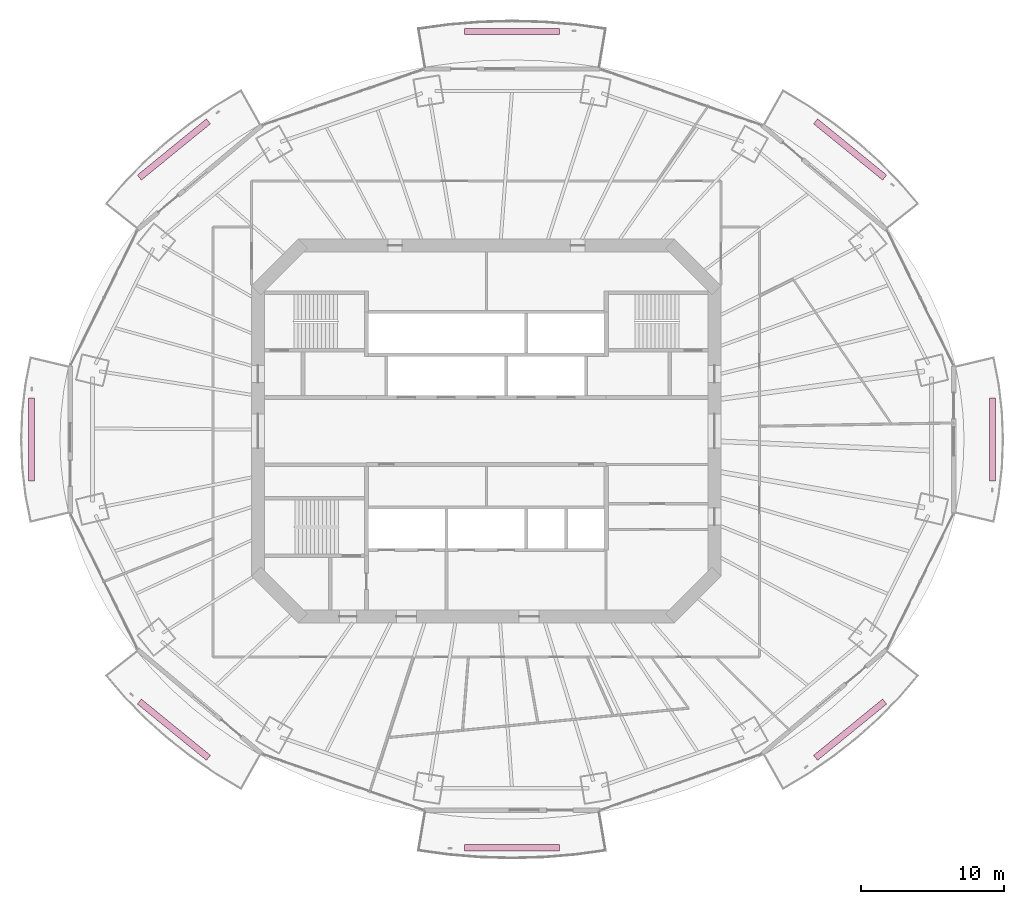
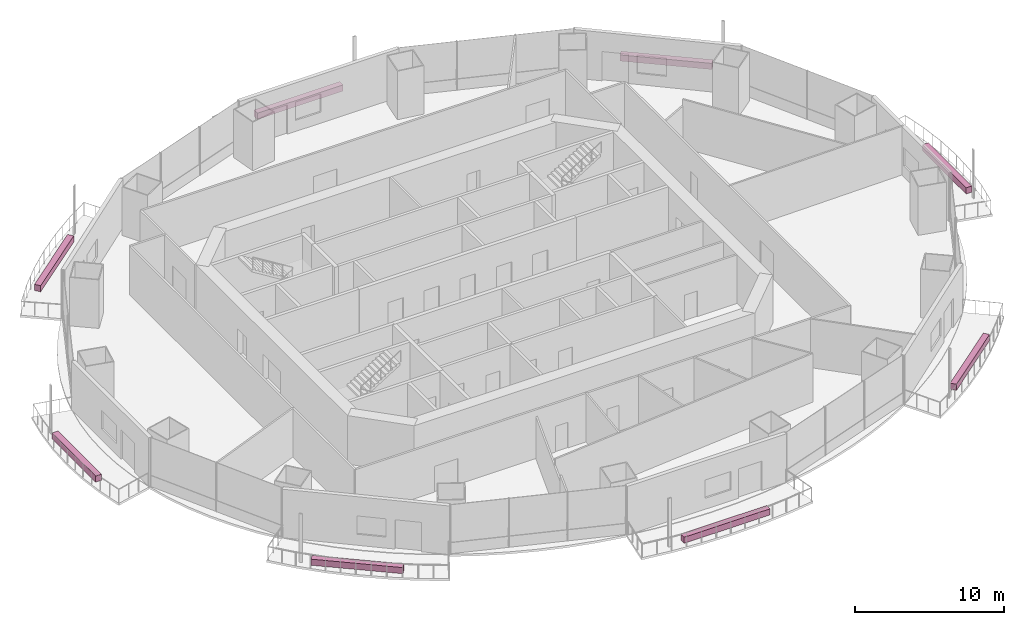
# One storey, part 21 of 21: 8 furnishings.
"""IFC4 building model written with IfcOpenShell, lengths in metres."""

from ifc_helpers import new_model, si_unit, direction, frame, origin, origin_2d, place, context, subcontext, project, spatial, rectangle, extrude, material, type_object, element, save


model = new_model("IFC4")

# Units and contexts
model_context = context("Model", 3, precision=1e-05, world=origin(), true_north=direction((0.0, 1.0)))
body_context = subcontext(model_context, "Body", "Model", "MODEL_VIEW")
ifc_project = project(units=[si_unit("LENGTHUNIT", "METRE"), si_unit("AREAUNIT", "SQUARE_METRE"), si_unit("VOLUMEUNIT", "CUBIC_METRE"), si_unit("PLANEANGLEUNIT", "RADIAN"), si_unit("MASSUNIT", "GRAM", prefix="KILO")], contexts=[model_context])

# Site, building, storey
site_placement = place(None, origin())
site = spatial("IfcSite", under=ifc_project, at=site_placement, CompositionType="ELEMENT")
building_placement = place(site_placement, origin())
building = spatial("IfcBuilding", under=site, at=building_placement, Name="Marenthal Gate Tower", CompositionType="ELEMENT")
storey_placement = place(building_placement, frame((0.0, 0.0, 206.699951171875)))
storey = spatial("IfcBuildingStorey", under=building, at=storey_placement, Name="L45", CompositionType="ELEMENT", Elevation=206.699951171875)

# Furnishings
ifc_material = material(Name="Planting soil and foliage", Category="planting")
furnishing_element_type = type_object("IfcFurnishingElementType", Name="Balcony PLANTER trough", material=ifc_material)
furnishing_1_placement = place(storey_placement, frame((25.501953125, 19.739501953125, -0.0400390625), z_axis=(0.0, 0.0, 1.0), x_axis=(-0.775359543863, 0.631520053316, 0.0)))
element("IfcFurnishingElement", 1, at=furnishing_1_placement, inside=storey, type_object=furnishing_element_type, Name="Balcony PLANTER L45 bay 2", ObjectType="PLANTER", context=body_context, shape_type="SweptSolid", body=[
    extrude(rectangle(XDim=6.248046875, YDim=0.449951171875, at=origin_2d()), origin(), (0.0, 0.0, 1.0), 0.5),
])
furnishing_2_placement = place(storey_placement, frame((1.800048828125, 28.010009765625, -0.0400390625), z_axis=(0.0, 0.0, 1.0), x_axis=(-1.0, 0.0, 0.0)))
element("IfcFurnishingElement", 2, at=furnishing_2_placement, inside=storey, type_object=furnishing_element_type, Name="Balcony PLANTER L45 bay 4", ObjectType="PLANTER", context=body_context, shape_type="SweptSolid", body=[
    extrude(rectangle(XDim=6.64404296875, YDim=0.449951171875, at=origin_2d()), origin(), (0.0, 0.0, 1.0), 0.5),
])
furnishing_3_placement = place(storey_placement, frame((-21.90185546875, 19.739501953125, -0.0400390625), z_axis=(0.0, 0.0, 1.0), x_axis=(-0.775359543863, -0.631520053316, 0.0)))
element("IfcFurnishingElement", 3, at=furnishing_3_placement, inside=storey, type_object=furnishing_element_type, Name="Balcony PLANTER L45 bay 6", ObjectType="PLANTER", context=body_context, shape_type="SweptSolid", body=[
    extrude(rectangle(XDim=6.248046875, YDim=0.449951171875, at=origin_2d()), origin(), (0.0, 0.0, 1.0), 0.5),
])
furnishing_4_placement = place(storey_placement, frame((-31.886962890625, -0.60009765625, -0.0400390625), z_axis=(0.0, 0.0, 1.0), x_axis=(0.0, -1.0, 0.0)))
element("IfcFurnishingElement", 4, at=furnishing_4_placement, inside=storey, type_object=furnishing_element_type, Name="Balcony PLANTER L45 bay 8", ObjectType="PLANTER", context=body_context, shape_type="SweptSolid", body=[
    extrude(rectangle(XDim=5.837646484375, YDim=0.449951171875, at=origin_2d()), origin(), (0.0, 0.0, 1.0), 0.5),
])
furnishing_5_placement = place(storey_placement, frame((-21.90185546875, -20.939697265625, -0.0400390625), z_axis=(0.0, 0.0, 1.0), x_axis=(0.775359543863, -0.631520053316, 0.0)))
element("IfcFurnishingElement", 5, at=furnishing_5_placement, inside=storey, type_object=furnishing_element_type, Name="Balcony PLANTER L45 bay 10", ObjectType="PLANTER", context=body_context, shape_type="SweptSolid", body=[
    extrude(rectangle(XDim=6.248046875, YDim=0.449951171875, at=origin_2d()), origin(), (0.0, 0.0, 1.0), 0.5),
])
furnishing_6_placement = place(storey_placement, frame((1.800048828125, -29.2099609375, -0.0400390625), z_axis=(0.0, 0.0, 1.0), x_axis=(1.0, 0.0, 0.0)))
element("IfcFurnishingElement", 6, at=furnishing_6_placement, inside=storey, type_object=furnishing_element_type, Name="Balcony PLANTER L45 bay 12", ObjectType="PLANTER", context=body_context, shape_type="SweptSolid", body=[
    extrude(rectangle(XDim=6.64404296875, YDim=0.449951171875, at=origin_2d()), origin(), (0.0, 0.0, 1.0), 0.5),
])
furnishing_7_placement = place(storey_placement, frame((25.501953125, -20.939697265625, -0.0400390625), z_axis=(0.0, 0.0, 1.0), x_axis=(0.775359543863, 0.631520053316, 0.0)))
element("IfcFurnishingElement", 7, at=furnishing_7_placement, inside=storey, type_object=furnishing_element_type, Name="Balcony PLANTER L45 bay 14", ObjectType="PLANTER", context=body_context, shape_type="SweptSolid", body=[
    extrude(rectangle(XDim=6.248046875, YDim=0.449951171875, at=origin_2d()), origin(), (0.0, 0.0, 1.0), 0.5),
])
furnishing_8_placement = place(storey_placement, frame((35.487060546875, -0.60009765625, -0.0400390625), z_axis=(0.0, 0.0, 1.0), x_axis=(0.0, 1.0, 0.0)))
element("IfcFurnishingElement", 8, at=furnishing_8_placement, inside=storey, type_object=furnishing_element_type, Name="Balcony PLANTER L45 bay 16", ObjectType="PLANTER", context=body_context, shape_type="SweptSolid", body=[
    extrude(rectangle(XDim=5.837646484375, YDim=0.449951171875, at=origin_2d()), origin(), (0.0, 0.0, 1.0), 0.5),
])

save(model, "model.ifc")
